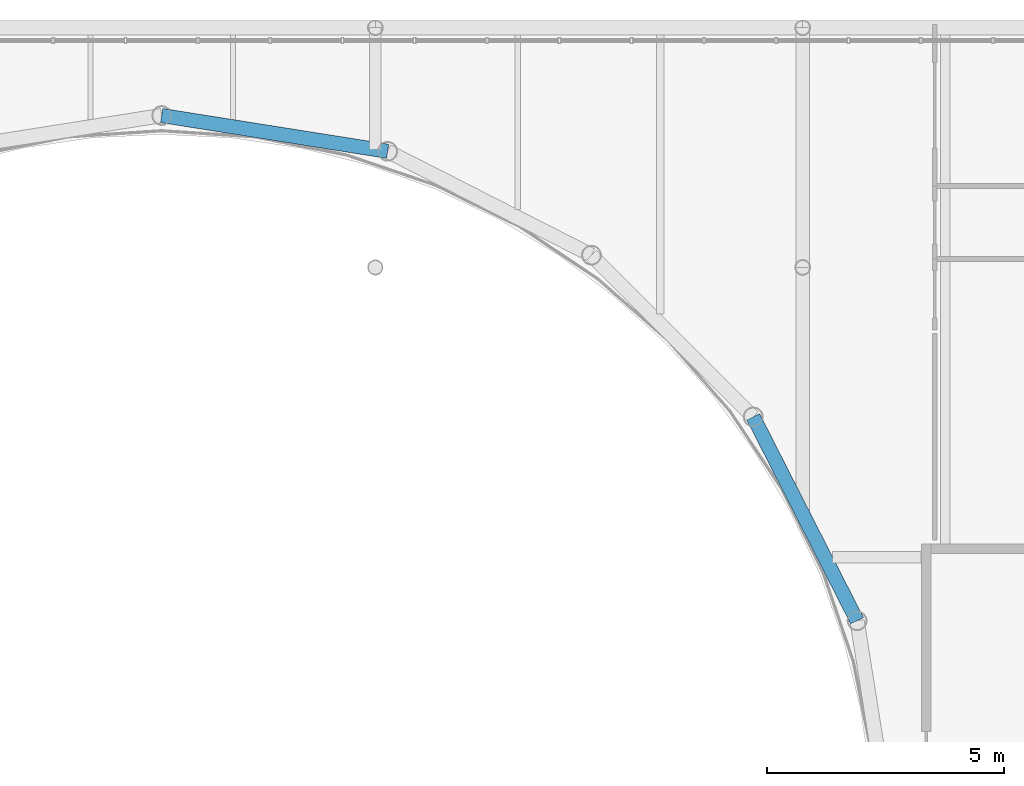
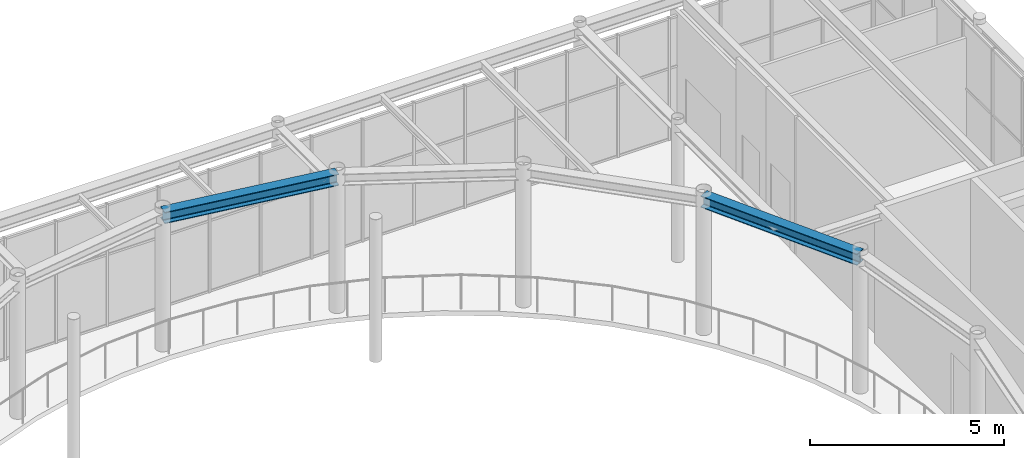
# One storey, part 38 of 70: 2 beams.
"""IFC4 building model written with IfcOpenShell, lengths in metres."""

from ifc_helpers import new_model, si_unit, direction, frame, origin, origin_2d, place, context, subcontext, project, spatial, i_section, extrude, material, material_profile, profile_set, type_object, element, save


model = new_model("IFC4")

# Units and contexts
model_context = context("Model", 3, precision=1e-05, world=origin(), true_north=direction((0.0, 1.0)))
body_context = subcontext(model_context, "Body", "Model", "MODEL_VIEW")
ifc_project = project(units=[si_unit("LENGTHUNIT", "METRE"), si_unit("AREAUNIT", "SQUARE_METRE"), si_unit("VOLUMEUNIT", "CUBIC_METRE"), si_unit("PLANEANGLEUNIT", "RADIAN"), si_unit("MASSUNIT", "GRAM", prefix="KILO")], contexts=[model_context])

# Site, building, storey
site_placement = place(None, origin())
site = spatial("IfcSite", under=ifc_project, at=site_placement, CompositionType="ELEMENT")
building_placement = place(site_placement, origin())
building = spatial("IfcBuilding", under=site, at=building_placement, Name="Kallimachos Central Library", CompositionType="ELEMENT")
storey_placement = place(building_placement, frame((0.0, 0.0, 18.89990234375)))
storey = spatial("IfcBuildingStorey", under=building, at=storey_placement, Name="L04", CompositionType="ELEMENT", Elevation=18.89990234375)

# Beams
ifc_material = material(Name="Steel S355J2", Category="steel")
ifc_material_profile = material_profile(ifc_material, i_section(OverallWidth=0.300048828125, OverallDepth=0.360107421875, WebThickness=0.012451171875, FlangeThickness=0.0224609375, FilletRadius=0.027099609375, at=origin_2d()), Name="HEB 360")
ifc_profile_set = profile_set([ifc_material_profile], Name="Steel S355J2")
beam_type = type_object("IfcBeamType", Name="HEB 360 beam", PredefinedType="BEAM", material=ifc_profile_set)
for number, where, z_axis, x_axis, name in (
    (1, (102.646240234375, 109.158935546875, 4.170166015625), (-0.453970566426, 0.891016680438, 0.0), (-0.891016680438, -0.453970566426, 0.0), "V1-BEM-L04-002"),
    (2, (92.7587890625, 119.04638671875, 4.170166015625), (-0.987690137413, 0.156423119957, 0.0), (-0.156423119957, -0.987690137413, 0.0), "V1-BEM-L04-005"),
):
    element("IfcBeam", number, at=place(storey_placement, frame(where, z_axis=z_axis, x_axis=x_axis)), inside=storey, type_object=beam_type, Name=name, PredefinedType="BEAM", context=body_context, shape_type="SweptSolid", body=[
        extrude(i_section(OverallWidth=0.300048828125, OverallDepth=0.360107421875, WebThickness=0.012451171875, FlangeThickness=0.0224609375, FilletRadius=0.027099609375, at=origin_2d()), origin(), (0.0, 0.0, 1.0), 4.818115234375),
    ])

save(model, "model.ifc")
